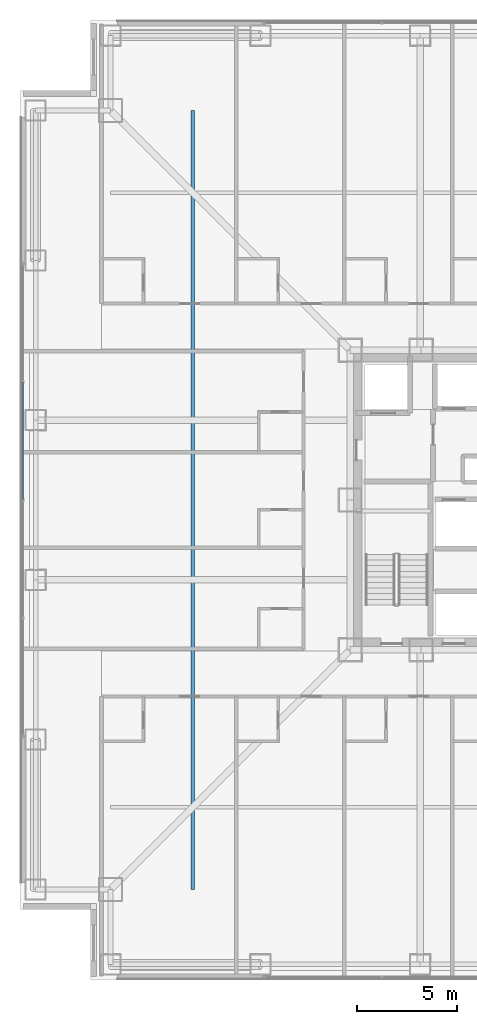
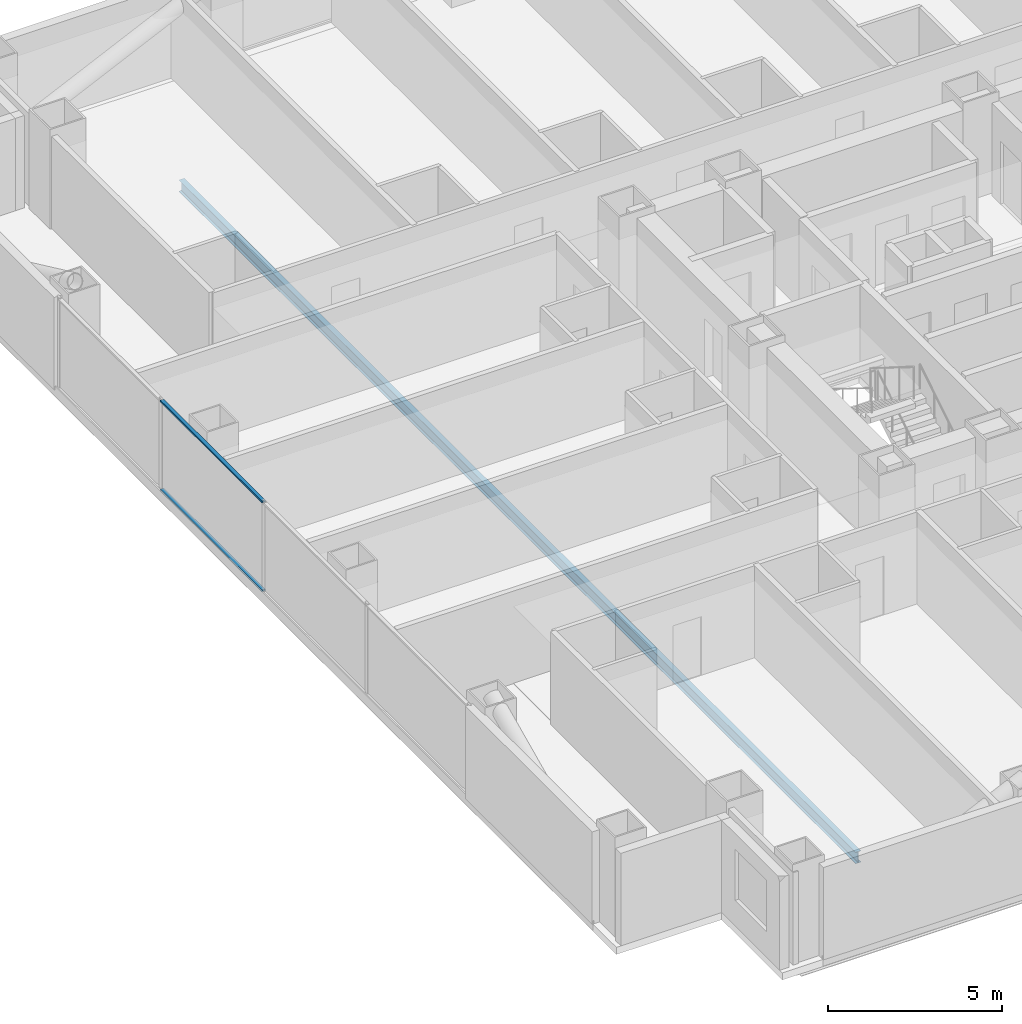
# One storey, part 6 of 23: 2 members, 1 beam, 1 element without a shape of its own.
"""IFC4 building model written with IfcOpenShell, lengths in metres."""

from ifc_helpers import new_model, si_unit, direction, frame, origin, origin_2d, place, context, subcontext, project, spatial, rectangle, i_section, extrude, material, layer, layer_set, material_profile, profile_set, type_object, element, aggregate, save


model = new_model("IFC4")

# Units and contexts
model_context = context("Model", 3, precision=1e-05, world=origin(), true_north=direction((0.0, 1.0)))
body_context = subcontext(model_context, "Body", "Model", "MODEL_VIEW")
ifc_project = project(units=[si_unit("LENGTHUNIT", "METRE"), si_unit("AREAUNIT", "SQUARE_METRE"), si_unit("VOLUMEUNIT", "CUBIC_METRE"), si_unit("PLANEANGLEUNIT", "RADIAN"), si_unit("MASSUNIT", "GRAM", prefix="KILO")], contexts=[model_context])

# Site, building, storey
site_placement = place(None, origin())
site = spatial("IfcSite", under=ifc_project, at=site_placement, CompositionType="ELEMENT")
building_placement = place(site_placement, origin())
building = spatial("IfcBuilding", under=site, at=building_placement, Name="Trevonay Congress Spire", CompositionType="ELEMENT")
storey_placement = place(building_placement, frame((0.0, 0.0, 34.0)))
storey = spatial("IfcBuildingStorey", under=building, at=storey_placement, Name="L07", CompositionType="ELEMENT", Elevation=34.0)

# Curtain wall, members
ifc_material_1 = material(Name="Pale Anodised Aluminium EN AW-6063-T6", Category="aluminium")
ifc_layer = layer(ifc_material_1, 0.179931640625, Name="Pale Anodised Aluminium EN AW-6063-T6")
ifc_layer_set = layer_set([ifc_layer], Name="Pale Anodised Aluminium EN AW-6063-T6")
curtain_wall_type = type_object("IfcCurtainWallType", Name="CW-SYS02-HOTEL-PALE-METAL", PredefinedType="NOTDEFINED", material=ifc_layer_set)
curtain_wall_placement = place(storey_placement, origin())
curtain_wall = element("IfcCurtainWall", 1, at=curtain_wall_placement, inside=storey, type_object=curtain_wall_type, Name="L07 W unitised curtain wall", PredefinedType="NOTDEFINED")
ifc_material_profile_1 = material_profile(ifc_material_1, rectangle(XDim=0.1201171875, YDim=0.06005859375, at=origin_2d()), Name="CW-TRANSOM-120-ALUMINIUM")
ifc_profile_set_1 = profile_set([ifc_material_profile_1], Name="Pale Anodised Aluminium EN AW-6063-T6")
member_type = type_object("IfcMemberType", Name="CW-TRANSOM-120-ALUMINIUM", PredefinedType="USERDEFINED", material=ifc_profile_set_1)
member_1_placement = place(storey_placement, frame((-23.8798828125, 0.030029296875, 0.06005859375), z_axis=(0.0, 1.0, 0.0), x_axis=(-1.0, 0.0, 0.0)))
member_1 = element("IfcMember", 2, at=member_1_placement, type_object=member_type, Name="CW02 transom 3.1", ObjectType="TRANSOM", PredefinedType="USERDEFINED", context=body_context, shape_type="SweptSolid", body=[
    extrude(rectangle(XDim=0.1201171875, YDim=0.06005859375, at=origin_2d()), origin(), (0.0, 0.0, 1.0), 5.864990234375),
])
member_2_placement = place(storey_placement, frame((-23.8798828125, 0.030029296875, 3.18994140625), z_axis=(0.0, 1.0, 0.0), x_axis=(-1.0, 0.0, 0.0)))
member_2 = element("IfcMember", 3, at=member_2_placement, type_object=member_type, Name="CW02 transom 3.2", ObjectType="TRANSOM", PredefinedType="USERDEFINED", context=body_context, shape_type="SweptSolid", body=[
    extrude(rectangle(XDim=0.1201171875, YDim=0.06005859375, at=origin_2d()), origin(), (0.0, 0.0, 1.0), 5.864990234375),
])
aggregate(curtain_wall, [member_1, member_2])

# Beam
ifc_material_2 = material(Name="Steel ASTM A572 Grade 50", Category="steel")
ifc_material_profile_2 = material_profile(ifc_material_2, i_section(OverallWidth=0.177978515625, OverallDepth=0.406982421875, WebThickness=0.0078125, FlangeThickness=0.0126953125, FilletRadius=0.012939453125, at=origin_2d()), Name="W410x60")
ifc_profile_set_2 = profile_set([ifc_material_profile_2], Name="Steel ASTM A572 Grade 50")
beam_type = type_object("IfcBeamType", Name="JS-COMP-W410X60", PredefinedType="JOIST", material=ifc_profile_set_2)
beam_placement = place(storey_placement, frame((-15.375, -19.5, -0.45361328125), z_axis=(0.0, 1.0, 0.0), x_axis=(-1.0, 0.0, 0.0)))
element("IfcBeam", 4, at=beam_placement, inside=storey, type_object=beam_type, Name="L07 structural beam JS-L07-RING-W", PredefinedType="JOIST", context=body_context, shape_type="SweptSolid", body=[
    extrude(i_section(OverallWidth=0.177978515625, OverallDepth=0.406982421875, WebThickness=0.0078125, FlangeThickness=0.0126953125, FilletRadius=0.012939453125, at=origin_2d()), origin(), (0.0, 0.0, 1.0), 39.0),
])

save(model, "model.ifc")
